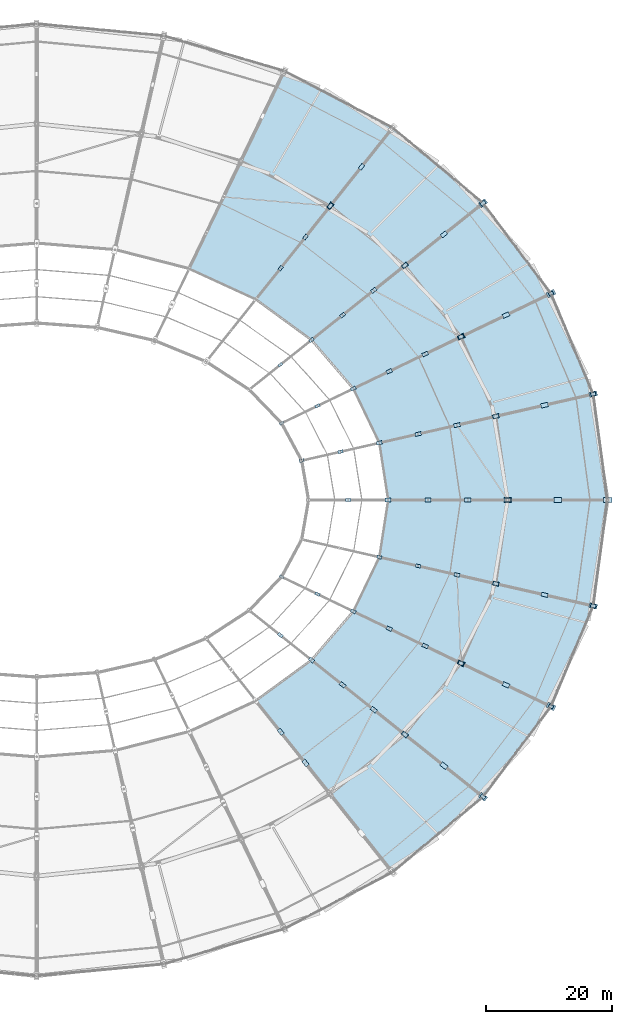
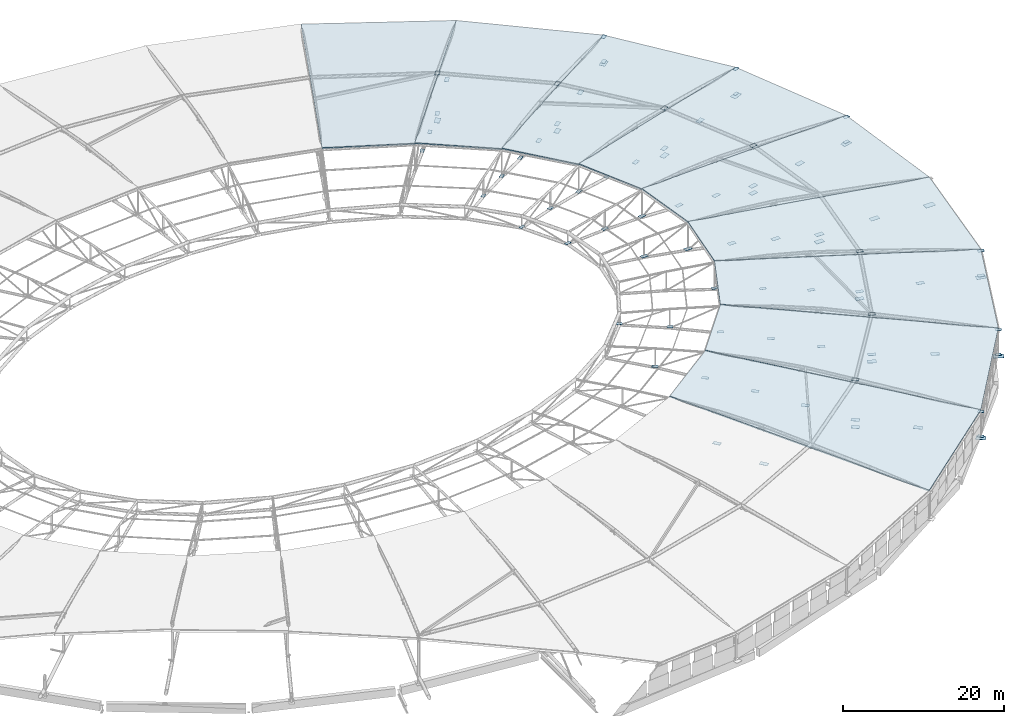
# One storey, part 94 of 108: 90 plates, 9 slabs.
"""IFC4 building model written with IfcOpenShell, lengths in metres."""

from ifc_helpers import new_model, si_unit, direction, frame, origin, origin_2d, place, context, subcontext, project, spatial, polyline, rectangle, outline, extrude, material, layer, layer_set, type_object, element, save


model = new_model("IFC4")

# Units and contexts
model_context = context("Model", 3, precision=1e-05, world=origin(), true_north=direction((0.0, 1.0)))
body_context = subcontext(model_context, "Body", "Model", "MODEL_VIEW")
ifc_project = project(units=[si_unit("LENGTHUNIT", "METRE"), si_unit("AREAUNIT", "SQUARE_METRE"), si_unit("VOLUMEUNIT", "CUBIC_METRE"), si_unit("PLANEANGLEUNIT", "RADIAN"), si_unit("MASSUNIT", "GRAM", prefix="KILO")], contexts=[model_context])

# Site, building, storey
site_placement = place(None, origin())
site = spatial("IfcSite", under=ifc_project, at=site_placement, CompositionType="ELEMENT")
building_placement = place(site_placement, origin())
building = spatial("IfcBuilding", under=site, at=building_placement, Name="Zevraka Park Crest Stadium", CompositionType="ELEMENT")
storey_placement = place(building_placement, frame((0.0, 0.0, 29.39990234375)))
storey = spatial("IfcBuildingStorey", under=building, at=storey_placement, Name="RF", CompositionType="ELEMENT", Elevation=29.39990234375)

# Plates
ifc_material_1 = material(Name="Steel S355", Category="steel")
ifc_layer_1 = layer(ifc_material_1, 0.035888671875)
ifc_layer_set_1 = layer_set([ifc_layer_1], Name="Steel S355")
plate_type_1 = type_object("IfcPlateType", Name="BP01", PredefinedType="SHEET", material=ifc_layer_set_1)
for number, where, z_axis, x_axis, name in (
    (1, (202.300048828125, 92.0, -0.03369140625), (0.0, 0.0, 1.0), (1.0, 0.0, 0.0), "TN1 Roof Truss Heel Base Plate BP01 T01"),
    (2, (193.35693359375, 124.6708984375, -0.03369140625), (0.0, 0.0, 1.0), (0.90100131981, 0.43381634559, 0.0), "TN1 Roof Truss Heel Base Plate BP01 T03"),
    (3, (193.35693359375, 59.3291015625, -0.03369140625), (0.0, 0.0, 1.0), (-0.90100131981, 0.43381634559, 0.0), "TN1 Roof Truss Heel Base Plate BP01 T27"),
):
    element("IfcPlate", number, at=place(storey_placement, frame(where, z_axis=z_axis, x_axis=x_axis)), inside=storey, type_object=plate_type_1, Name=name, PredefinedType="SHEET", context=body_context, shape_type="SweptSolid", body=[
        extrude(rectangle(XDim=1.35009765625, YDim=0.85009765625, at=origin_2d()), origin(), (0.0, 0.0, 1.0), 0.035888671875),
    ])
ifc_material_2 = material(Name="Steel S355", Category="steel")
ifc_layer_2 = layer(ifc_material_2, 0.034912109375)
ifc_layer_set_2 = layer_set([ifc_layer_2], Name="Steel S355")
plate_type_2 = type_object("IfcPlateType", Name="BP02", PredefinedType="SHEET", material=ifc_layer_set_2)
for number, where, z_axis, x_axis, name in (
    (4, (200.035888671875, 108.756103515625, -0.03271484375), (0.0, 0.0, 1.0), (0.974916814618, 0.222569549971, 0.0), "TN1 Roof Truss Heel Base Plate BP02 T02"),
    (5, (182.59912109375, 138.948974609375, -0.03271484375), (0.0, 0.0, 1.0), (0.781847027868, 0.623470308046, 0.0), "TN1 Roof Truss Heel Base Plate BP02 T04"),
    (6, (182.59912109375, 45.051025390625, -0.03271484375), (0.0, 0.0, 1.0), (-0.781847027868, 0.623470308046, 0.0), "TN1 Roof Truss Heel Base Plate BP02 T26"),
    (7, (200.035888671875, 75.243896484375, -0.03271484375), (0.0, 0.0, 1.0), (-0.974916814618, 0.222569549971, 0.0), "TN1 Roof Truss Heel Base Plate BP02 T28"),
):
    element("IfcPlate", number, at=place(storey_placement, frame(where, z_axis=z_axis, x_axis=x_axis)), inside=storey, type_object=plate_type_2, Name=name, PredefinedType="SHEET", context=body_context, shape_type="SweptSolid", body=[
        extrude(rectangle(XDim=1.25, YDim=0.800048828125, at=origin_2d()), origin(), (0.0, 0.0, 1.0), 0.034912109375),
    ])
ifc_material_3 = material(Name="Steel S355", Category="steel")
ifc_layer_3 = layer(ifc_material_3, 0.031982421875)
ifc_layer_set_3 = layer_set([ifc_layer_3], Name="Steel S355")
plate_type_3 = type_object("IfcPlateType", Name="BP03", PredefinedType="SHEET", material=ifc_layer_set_3)
for number, where, z_axis, x_axis, name in (
    (8, (186.5, 92.0, -0.02978515625), (0.0, 0.0, 1.0), (1.0, 0.0, 0.0), "TN2 Roof Truss Heel Base Plate BP03 T01"),
    (9, (179.1220703125, 117.81591796875, -0.02978515625), (0.0, 0.0, 1.0), (0.90100131981, 0.43381634559, 0.0), "TN2 Roof Truss Heel Base Plate BP03 T03"),
    (10, (158.449951171875, 138.51904296875, -0.02978515625), (0.0, 0.0, 1.0), (0.623470308046, 0.781847027868, 0.0), "TN2 Roof Truss Heel Base Plate BP03 T05"),
    (11, (179.1220703125, 66.18408203125, -0.02978515625), (0.0, 0.0, 1.0), (-0.90100131981, 0.43381634559, 0.0), "TN2 Roof Truss Heel Base Plate BP03 T27"),
):
    element("IfcPlate", number, at=place(storey_placement, frame(where, z_axis=z_axis, x_axis=x_axis)), inside=storey, type_object=plate_type_3, Name=name, PredefinedType="SHEET", context=body_context, shape_type="SweptSolid", body=[
        extrude(rectangle(XDim=1.14990234375, YDim=0.719970703125, at=origin_2d()), origin(), (0.0, 0.0, 1.0), 0.031982421875),
    ])
ifc_material_4 = material(Name="Steel S355", Category="steel")
ifc_layer_4 = layer(ifc_material_4, 0.030029296875)
ifc_layer_set_4 = layer_set([ifc_layer_4], Name="Steel S355")
plate_type_4 = type_object("IfcPlateType", Name="BP04", PredefinedType="SHEET", material=ifc_layer_set_4)
for number, where, z_axis, x_axis, name in (
    (12, (184.632080078125, 105.239990234375, -0.02783203125), (0.0, 0.0, 1.0), (0.974916814618, 0.222569549971, 0.0), "TN2 Roof Truss Heel Base Plate BP04 T02"),
    (13, (170.24609375, 129.097900390625, -0.02783203125), (0.0, 0.0, 1.0), (0.781847027868, 0.623470308046, 0.0), "TN2 Roof Truss Heel Base Plate BP04 T04"),
    (14, (170.24609375, 54.902099609375, -0.02783203125), (0.0, 0.0, 1.0), (-0.781847027868, 0.623470308046, 0.0), "TN2 Roof Truss Heel Base Plate BP04 T26"),
    (15, (184.632080078125, 78.760009765625, -0.02783203125), (0.0, 0.0, 1.0), (-0.974916814618, 0.222569549971, 0.0), "TN2 Roof Truss Heel Base Plate BP04 T28"),
):
    element("IfcPlate", number, at=place(storey_placement, frame(where, z_axis=z_axis, x_axis=x_axis)), inside=storey, type_object=plate_type_4, Name=name, PredefinedType="SHEET", context=body_context, shape_type="SweptSolid", body=[
        extrude(rectangle(XDim=1.050048828125, YDim=0.659912109375, at=origin_2d()), origin(), (0.0, 0.0, 1.0), 0.030029296875),
    ])
ifc_material_5 = material(Name="Steel S355", Category="steel")
ifc_layer_5 = layer(ifc_material_5, 0.02490234375)
ifc_layer_set_5 = layer_set([ifc_layer_5], Name="Steel S355")
plate_type_5 = type_object("IfcPlateType", Name="EC01", PredefinedType="SHEET", material=ifc_layer_set_5)
for number, where, z_axis, x_axis, name in (
    (16, (184.632080078125, 105.239990234375, 7.1982421875), (0.0, 0.0, 1.0), (0.974916814618, 0.222569549971, 0.0), "Hollow Strut Top Closure Cap Plate EC01 T02-2"),
    (17, (179.1220703125, 117.81591796875, 7.1982421875), (0.0, 0.0, 1.0), (0.90100131981, 0.43381634559, 0.0), "Hollow Strut Top Closure Cap Plate EC01 T03-2"),
    (18, (170.24609375, 129.097900390625, 7.1982421875), (0.0, 0.0, 1.0), (0.781847027868, 0.623470308046, 0.0), "Hollow Strut Top Closure Cap Plate EC01 T04-2"),
    (19, (182.59912109375, 138.948974609375, 0.237548828125), (0.0, 0.0, 1.0), (0.781847027868, 0.623470308046, 0.0), "TN5 Hollow Chord End Cap Plate EC01 T04-HEEL-B"),
    (20, (182.59912109375, 138.948974609375, 3.987548828125), (0.0, 0.0, 1.0), (0.781847027868, 0.623470308046, 0.0), "TN5 Hollow Chord End Cap Plate EC01 T04-HEEL-T"),
    (21, (158.449951171875, 138.51904296875, 7.1982421875), (0.0, 0.0, 1.0), (0.623470308046, 0.781847027868, 0.0), "Hollow Strut Top Closure Cap Plate EC01 T05-2"),
    (22, (170.24609375, 54.902099609375, 7.1982421875), (0.0, 0.0, 1.0), (-0.781847027868, 0.623470308046, 0.0), "Hollow Strut Top Closure Cap Plate EC01 T26-2"),
    (23, (179.1220703125, 66.18408203125, 7.1982421875), (0.0, 0.0, 1.0), (-0.90100131981, 0.43381634559, 0.0), "Hollow Strut Top Closure Cap Plate EC01 T27-2"),
    (24, (184.632080078125, 78.760009765625, 7.1982421875), (0.0, 0.0, 1.0), (-0.974916814618, 0.222569549971, 0.0), "Hollow Strut Top Closure Cap Plate EC01 T28-2"),
    (25, (200.035888671875, 75.243896484375, 0.237548828125), (0.0, 0.0, 1.0), (-0.974916814618, 0.222569549971, 0.0), "TN5 Hollow Chord End Cap Plate EC01 T28-HEEL-B"),
    (26, (200.035888671875, 75.243896484375, 3.987548828125), (0.0, 0.0, 1.0), (-0.974916814618, 0.222569549971, 0.0), "TN5 Hollow Chord End Cap Plate EC01 T28-HEEL-T"),
):
    element("IfcPlate", number, at=place(storey_placement, frame(where, z_axis=z_axis, x_axis=x_axis)), inside=storey, type_object=plate_type_5, Name=name, PredefinedType="SHEET", context=body_context, shape_type="SweptSolid", body=[
        extrude(rectangle(XDim=0.840087890625, YDim=0.5400390625, at=origin_2d()), origin(), (0.0, 0.0, 1.0), 0.02490234375),
    ])
ifc_material_6 = material(Name="Steel S355", Category="steel")
ifc_layer_6 = layer(ifc_material_6, 0.02490234375)
ifc_layer_set_6 = layer_set([ifc_layer_6], Name="Steel S355")
plate_type_6 = type_object("IfcPlateType", Name="EC02", PredefinedType="SHEET", material=ifc_layer_set_6)
for number, where, z_axis, x_axis, name in (
    (27, (200.035888671875, 108.756103515625, 3.998046875), (0.0, 0.0, 1.0), (0.974916814618, 0.222569549971, 0.0), "Hollow Strut Top Closure Cap Plate EC02 T02-0"),
    (28, (200.035888671875, 108.756103515625, 0.237548828125), (0.0, 0.0, 1.0), (0.974916814618, 0.222569549971, 0.0), "TN5 Hollow Chord End Cap Plate EC02 T02-HEEL-B"),
    (29, (200.035888671875, 108.756103515625, 3.987548828125), (0.0, 0.0, 1.0), (0.974916814618, 0.222569549971, 0.0), "TN5 Hollow Chord End Cap Plate EC02 T02-HEEL-T"),
    (30, (193.35693359375, 124.6708984375, 3.998046875), (0.0, 0.0, 1.0), (0.90100131981, 0.43381634559, 0.0), "Hollow Strut Top Closure Cap Plate EC02 T03-0"),
    (31, (182.59912109375, 138.948974609375, 3.998046875), (0.0, 0.0, 1.0), (0.781847027868, 0.623470308046, 0.0), "Hollow Strut Top Closure Cap Plate EC02 T04-0"),
    (32, (182.59912109375, 45.051025390625, 3.998046875), (0.0, 0.0, 1.0), (-0.781847027868, 0.623470308046, 0.0), "Hollow Strut Top Closure Cap Plate EC02 T26-0"),
    (33, (182.59912109375, 45.051025390625, 0.237548828125), (0.0, 0.0, 1.0), (-0.781847027868, 0.623470308046, 0.0), "TN5 Hollow Chord End Cap Plate EC02 T26-HEEL-B"),
    (34, (182.59912109375, 45.051025390625, 3.987548828125), (0.0, 0.0, 1.0), (-0.781847027868, 0.623470308046, 0.0), "TN5 Hollow Chord End Cap Plate EC02 T26-HEEL-T"),
    (35, (193.35693359375, 59.3291015625, 3.998046875), (0.0, 0.0, 1.0), (-0.90100131981, 0.43381634559, 0.0), "Hollow Strut Top Closure Cap Plate EC02 T27-0"),
    (36, (200.035888671875, 75.243896484375, 3.998046875), (0.0, 0.0, 1.0), (-0.974916814618, 0.222569549971, 0.0), "Hollow Strut Top Closure Cap Plate EC02 T28-0"),
):
    element("IfcPlate", number, at=place(storey_placement, frame(where, z_axis=z_axis, x_axis=x_axis)), inside=storey, type_object=plate_type_6, Name=name, PredefinedType="SHEET", context=body_context, shape_type="SweptSolid", body=[
        extrude(rectangle(XDim=0.780029296875, YDim=0.5, at=origin_2d()), origin(), (0.0, 0.0, 1.0), 0.02490234375),
    ])
ifc_material_7 = material(Name="Steel S355", Category="steel")
ifc_layer_7 = layer(ifc_material_7, 0.02197265625)
ifc_layer_set_7 = layer_set([ifc_layer_7], Name="Steel S355")
plate_type_7 = type_object("IfcPlateType", Name="EC03", PredefinedType="SHEET", material=ifc_layer_set_7)
for number, where, z_axis, x_axis, name in (
    (37, (193.35693359375, 124.6708984375, 0.239013671875), (0.0, 0.0, 1.0), (0.90100131981, 0.43381634559, 0.0), "TN5 Hollow Chord End Cap Plate EC03 T03-HEEL-B"),
    (38, (193.35693359375, 124.6708984375, 3.989013671875), (0.0, 0.0, 1.0), (0.90100131981, 0.43381634559, 0.0), "TN5 Hollow Chord End Cap Plate EC03 T03-HEEL-T"),
    (39, (193.35693359375, 59.3291015625, 0.239013671875), (0.0, 0.0, 1.0), (-0.90100131981, 0.43381634559, 0.0), "TN5 Hollow Chord End Cap Plate EC03 T27-HEEL-B"),
    (40, (193.35693359375, 59.3291015625, 3.989013671875), (0.0, 0.0, 1.0), (-0.90100131981, 0.43381634559, 0.0), "TN5 Hollow Chord End Cap Plate EC03 T27-HEEL-T"),
):
    element("IfcPlate", number, at=place(storey_placement, frame(where, z_axis=z_axis, x_axis=x_axis)), inside=storey, type_object=plate_type_7, Name=name, PredefinedType="SHEET", context=body_context, shape_type="SweptSolid", body=[
        extrude(rectangle(XDim=0.719970703125, YDim=0.4599609375, at=origin_2d()), origin(), (0.0, 0.0, 1.0), 0.02197265625),
    ])
ifc_material_8 = material(Name="Steel S355", Category="steel")
ifc_layer_8 = layer(ifc_material_8, 0.031982421875)
ifc_layer_set_8 = layer_set([ifc_layer_8], Name="Steel S355")
plate_type_8 = type_object("IfcPlateType", Name="GP01", PredefinedType="USERDEFINED", material=ifc_layer_set_8)
plate_placement = place(storey_placement, frame((194.39990234375, 92.0, 0.7138671875), z_axis=(0.0, 0.0, 1.0), x_axis=(1.0, 0.0, 0.0)))
element("IfcPlate", 41, at=plate_placement, inside=storey, type_object=plate_type_8, Name="TN1 Truss Node Gusset Plate GP01 T01-1", ObjectType="GUSSET PLATE", PredefinedType="USERDEFINED", context=body_context, shape_type="SweptSolid", body=[
    extrude(rectangle(XDim=1.199951171875, YDim=0.719970703125, at=origin_2d()), origin(), (0.0, 0.0, 1.0), 0.031982421875),
])
ifc_material_9 = material(Name="Steel S355", Category="steel")
ifc_layer_9 = layer(ifc_material_9, 0.030029296875)
ifc_layer_set_9 = layer_set([ifc_layer_9], Name="Steel S355")
plate_type_9 = type_object("IfcPlateType", Name="GP02", PredefinedType="USERDEFINED", material=ifc_layer_set_9)
for number, where, z_axis, x_axis, name in (
    (42, (186.5, 92.0, 1.06494140625), (0.0, 0.0, 1.0), (1.0, 0.0, 0.0), "TN2 Truss Node Gusset Plate GP02 T01-2"),
    (43, (192.333984375, 106.998046875, 0.71484375), (0.0, 0.0, 1.0), (0.974916814618, 0.222569549971, 0.0), "TN1 Truss Node Gusset Plate GP02 T02-1"),
    (44, (176.423095703125, 49.97705078125, 0.71484375), (0.0, 0.0, 1.0), (-0.781847027868, 0.623470308046, 0.0), "TN1 Truss Node Gusset Plate GP02 T26-1"),
):
    element("IfcPlate", number, at=place(storey_placement, frame(where, z_axis=z_axis, x_axis=x_axis)), inside=storey, type_object=plate_type_9, Name=name, ObjectType="GUSSET PLATE", PredefinedType="USERDEFINED", context=body_context, shape_type="SweptSolid", body=[
        extrude(rectangle(XDim=1.139892578125, YDim=0.679931640625, at=origin_2d()), origin(), (0.0, 0.0, 1.0), 0.030029296875),
    ])
ifc_material_10 = material(Name="Steel S355", Category="steel")
ifc_layer_10 = layer(ifc_material_10, 0.028076171875)
ifc_layer_set_10 = layer_set([ifc_layer_10], Name="Steel S355")
plate_type_10 = type_object("IfcPlateType", Name="GP03", PredefinedType="USERDEFINED", material=ifc_layer_set_10)
for number, where, z_axis, x_axis, name in (
    (45, (180.199951171875, 92.0, 2.6162109375), (0.0, 0.0, 1.0), (1.0, 0.0, 0.0), "TN3 Truss Node Gusset Plate GP03 T01-3"),
    (46, (184.632080078125, 105.239990234375, 1.06591796875), (0.0, 0.0, 1.0), (0.974916814618, 0.222569549971, 0.0), "TN2 Truss Node Gusset Plate GP03 T02-2"),
    (47, (186.239990234375, 121.243896484375, 0.7158203125), (0.0, 0.0, 1.0), (0.90100131981, 0.43381634559, 0.0), "TN1 Truss Node Gusset Plate GP03 T03-1"),
    (48, (154.52197265625, 50.406982421875, 2.6162109375), (0.0, 0.0, 1.0), (-0.623470308046, 0.781847027868, 0.0), "TN3 Truss Node Gusset Plate GP03 T25-3"),
    (49, (170.24609375, 54.902099609375, 1.06591796875), (0.0, 0.0, 1.0), (-0.781847027868, 0.623470308046, 0.0), "TN2 Truss Node Gusset Plate GP03 T26-2"),
    (50, (186.239990234375, 62.756103515625, 0.7158203125), (0.0, 0.0, 1.0), (-0.90100131981, 0.43381634559, 0.0), "TN1 Truss Node Gusset Plate GP03 T27-1"),
):
    element("IfcPlate", number, at=place(storey_placement, frame(where, z_axis=z_axis, x_axis=x_axis)), inside=storey, type_object=plate_type_10, Name=name, ObjectType="GUSSET PLATE", PredefinedType="USERDEFINED", context=body_context, shape_type="SweptSolid", body=[
        extrude(rectangle(XDim=1.080078125, YDim=0.639892578125, at=origin_2d()), origin(), (0.0, 0.0, 1.0), 0.028076171875),
    ])
ifc_material_11 = material(Name="Steel S355", Category="steel")
ifc_layer_11 = layer(ifc_material_11, 0.028076171875)
ifc_layer_set_11 = layer_set([ifc_layer_11], Name="Steel S355")
plate_type_11 = type_object("IfcPlateType", Name="GP04", PredefinedType="USERDEFINED", material=ifc_layer_set_11)
for number, where, z_axis, x_axis, name in (
    (51, (173.89990234375, 92.0, 4.1162109375), (0.0, 0.0, 1.0), (1.0, 0.0, 0.0), "TN4 Truss Node Gusset Plate GP04 T01-4"),
    (52, (178.489990234375, 103.837890625, 2.6162109375), (0.0, 0.0, 1.0), (0.974916814618, 0.222569549971, 0.0), "TN3 Truss Node Gusset Plate GP04 T02-3"),
    (53, (179.1220703125, 117.81591796875, 1.06591796875), (0.0, 0.0, 1.0), (0.90100131981, 0.43381634559, 0.0), "TN2 Truss Node Gusset Plate GP04 T03-2"),
    (54, (176.423095703125, 134.02294921875, 0.7158203125), (0.0, 0.0, 1.0), (0.781847027868, 0.623470308046, 0.0), "TN1 Truss Node Gusset Plate GP04 T04-1"),
    (55, (150.593994140625, 55.33203125, 4.1162109375), (0.0, 0.0, 1.0), (-0.623470308046, 0.781847027868, 0.0), "TN4 Truss Node Gusset Plate GP04 T25-4"),
    (56, (165.321044921875, 58.830078125, 2.6162109375), (0.0, 0.0, 1.0), (-0.781847027868, 0.623470308046, 0.0), "TN3 Truss Node Gusset Plate GP04 T26-3"),
    (57, (179.1220703125, 66.18408203125, 1.06591796875), (0.0, 0.0, 1.0), (-0.90100131981, 0.43381634559, 0.0), "TN2 Truss Node Gusset Plate GP04 T27-2"),
    (58, (192.333984375, 77.001953125, 0.7158203125), (0.0, 0.0, 1.0), (-0.974916814618, 0.222569549971, 0.0), "TN1 Truss Node Gusset Plate GP04 T28-1"),
):
    element("IfcPlate", number, at=place(storey_placement, frame(where, z_axis=z_axis, x_axis=x_axis)), inside=storey, type_object=plate_type_11, Name=name, ObjectType="GUSSET PLATE", PredefinedType="USERDEFINED", context=body_context, shape_type="SweptSolid", body=[
        extrude(rectangle(XDim=1.02001953125, YDim=0.60009765625, at=origin_2d()), origin(), (0.0, 0.0, 1.0), 0.028076171875),
    ])
ifc_material_12 = material(Name="Steel S355", Category="steel")
ifc_layer_12 = layer(ifc_material_12, 0.02490234375)
ifc_layer_set_12 = layer_set([ifc_layer_12], Name="Steel S355")
plate_type_12 = type_object("IfcPlateType", Name="GP05", PredefinedType="USERDEFINED", material=ifc_layer_set_12)
for number, where, z_axis, x_axis, name in (
    (59, (167.60009765625, 92.0, 5.467529296875), (0.0, 0.0, 1.0), (1.0, 0.0, 0.0), "TN5 Truss Node Gusset Plate GP05 T01-5"),
    (60, (172.347900390625, 102.43603515625, 4.11767578125), (0.0, 0.0, 1.0), (0.974916814618, 0.222569549971, 0.0), "TN4 Truss Node Gusset Plate GP05 T02-4"),
    (61, (173.446044921875, 115.0830078125, 2.61767578125), (0.0, 0.0, 1.0), (0.90100131981, 0.43381634559, 0.0), "TN3 Truss Node Gusset Plate GP05 T03-3"),
    (62, (170.24609375, 129.097900390625, 1.067626953125), (0.0, 0.0, 1.0), (0.781847027868, 0.623470308046, 0.0), "TN2 Truss Node Gusset Plate GP05 T04-2"),
    (63, (163.3759765625, 144.695068359375, 0.717529296875), (0.0, 0.0, 1.0), (0.623470308046, 0.781847027868, 0.0), "TN1 Truss Node Gusset Plate GP05 T05-1"),
    (64, (160.39501953125, 62.758056640625, 4.11767578125), (0.0, 0.0, 1.0), (-0.781847027868, 0.623470308046, 0.0), "TN4 Truss Node Gusset Plate GP05 T26-4"),
    (65, (173.446044921875, 68.9169921875, 2.61767578125), (0.0, 0.0, 1.0), (-0.90100131981, 0.43381634559, 0.0), "TN3 Truss Node Gusset Plate GP05 T27-3"),
    (66, (184.632080078125, 78.760009765625, 1.067626953125), (0.0, 0.0, 1.0), (-0.974916814618, 0.222569549971, 0.0), "TN2 Truss Node Gusset Plate GP05 T28-2"),
):
    element("IfcPlate", number, at=place(storey_placement, frame(where, z_axis=z_axis, x_axis=x_axis)), inside=storey, type_object=plate_type_12, Name=name, ObjectType="GUSSET PLATE", PredefinedType="USERDEFINED", context=body_context, shape_type="SweptSolid", body=[
        extrude(rectangle(XDim=0.9599609375, YDim=0.56005859375, at=origin_2d()), origin(), (0.0, 0.0, 1.0), 0.02490234375),
    ])
ifc_material_13 = material(Name="Steel S355", Category="steel")
ifc_layer_13 = layer(ifc_material_13, 0.02490234375)
ifc_layer_set_13 = layer_set([ifc_layer_13], Name="Steel S355")
plate_type_13 = type_object("IfcPlateType", Name="GP06", PredefinedType="USERDEFINED", material=ifc_layer_set_13)
for number, where, z_axis, x_axis, name in (
    (67, (161.300048828125, 92.0, 6.567626953125), (0.0, 0.0, 1.0), (1.0, 0.0, 0.0), "TN6 Truss Node Gusset Plate GP06 T01-6"),
    (68, (166.2060546875, 101.033935546875, 5.467529296875), (0.0, 0.0, 1.0), (0.974916814618, 0.222569549971, 0.0), "TN5 Truss Node Gusset Plate GP06 T02-5"),
    (69, (167.77001953125, 112.34912109375, 4.11767578125), (0.0, 0.0, 1.0), (0.90100131981, 0.43381634559, 0.0), "TN4 Truss Node Gusset Plate GP06 T03-4"),
    (70, (165.321044921875, 125.169921875, 2.61767578125), (0.0, 0.0, 1.0), (0.781847027868, 0.623470308046, 0.0), "TN3 Truss Node Gusset Plate GP06 T04-3"),
    (71, (158.449951171875, 138.51904296875, 1.067626953125), (0.0, 0.0, 1.0), (0.623470308046, 0.781847027868, 0.0), "TN2 Truss Node Gusset Plate GP06 T05-2"),
    (72, (155.469970703125, 66.68603515625, 5.467529296875), (0.0, 0.0, 1.0), (-0.781847027868, 0.623470308046, 0.0), "TN5 Truss Node Gusset Plate GP06 T26-5"),
    (73, (167.77001953125, 71.65087890625, 4.11767578125), (0.0, 0.0, 1.0), (-0.90100131981, 0.43381634559, 0.0), "TN4 Truss Node Gusset Plate GP06 T27-4"),
    (74, (178.489990234375, 80.162109375, 2.61767578125), (0.0, 0.0, 1.0), (-0.974916814618, 0.222569549971, 0.0), "TN3 Truss Node Gusset Plate GP06 T28-3"),
):
    element("IfcPlate", number, at=place(storey_placement, frame(where, z_axis=z_axis, x_axis=x_axis)), inside=storey, type_object=plate_type_13, Name=name, ObjectType="GUSSET PLATE", PredefinedType="USERDEFINED", context=body_context, shape_type="SweptSolid", body=[
        extrude(rectangle(XDim=0.89990234375, YDim=0.5400390625, at=origin_2d()), origin(), (0.0, 0.0, 1.0), 0.02490234375),
    ])
ifc_material_14 = material(Name="Steel S355", Category="steel")
ifc_layer_14 = layer(ifc_material_14, 0.02392578125)
ifc_layer_set_14 = layer_set([ifc_layer_14], Name="Steel S355")
plate_type_14 = type_object("IfcPlateType", Name="GP07", PredefinedType="USERDEFINED", material=ifc_layer_set_14)
for number, where, z_axis, x_axis, name in (
    (75, (160.06396484375, 99.632080078125, 6.568115234375), (0.0, 0.0, 1.0), (0.974916814618, 0.222569549971, 0.0), "TN6 Truss Node Gusset Plate GP07 T02-6"),
    (76, (162.093994140625, 109.615966796875, 5.468017578125), (0.0, 0.0, 1.0), (0.90100131981, 0.43381634559, 0.0), "TN5 Truss Node Gusset Plate GP07 T03-5"),
    (77, (160.39501953125, 121.241943359375, 4.1181640625), (0.0, 0.0, 1.0), (0.781847027868, 0.623470308046, 0.0), "TN4 Truss Node Gusset Plate GP07 T04-4"),
    (78, (154.52197265625, 133.593017578125, 2.6181640625), (0.0, 0.0, 1.0), (0.623470308046, 0.781847027868, 0.0), "TN3 Truss Node Gusset Plate GP07 T05-3"),
    (79, (150.5439453125, 70.614013671875, 6.568115234375), (0.0, 0.0, 1.0), (-0.781847027868, 0.623470308046, 0.0), "TN6 Truss Node Gusset Plate GP07 T26-6"),
    (80, (162.093994140625, 74.384033203125, 5.468017578125), (0.0, 0.0, 1.0), (-0.90100131981, 0.43381634559, 0.0), "TN5 Truss Node Gusset Plate GP07 T27-5"),
    (81, (172.347900390625, 81.56396484375, 4.1181640625), (0.0, 0.0, 1.0), (-0.974916814618, 0.222569549971, 0.0), "TN4 Truss Node Gusset Plate GP07 T28-4"),
):
    element("IfcPlate", number, at=place(storey_placement, frame(where, z_axis=z_axis, x_axis=x_axis)), inside=storey, type_object=plate_type_14, Name=name, ObjectType="GUSSET PLATE", PredefinedType="USERDEFINED", context=body_context, shape_type="SweptSolid", body=[
        extrude(rectangle(XDim=0.840087890625, YDim=0.5, at=origin_2d()), origin(), (0.0, 0.0, 1.0), 0.02392578125),
    ])
ifc_material_15 = material(Name="Steel S355", Category="steel")
ifc_layer_15 = layer(ifc_material_15, 0.02197265625)
ifc_layer_set_15 = layer_set([ifc_layer_15], Name="Steel S355")
plate_type_15 = type_object("IfcPlateType", Name="GP08", PredefinedType="USERDEFINED", material=ifc_layer_set_15)
for number, where, z_axis, x_axis, name in (
    (82, (153.922119140625, 98.23095703125, 7.369140625), (0.0, 0.0, 1.0), (0.974916814618, 0.222569549971, 0.0), "TN6 Truss Node Gusset Plate GP08 T02-7"),
    (83, (156.41796875, 106.882080078125, 6.569091796875), (0.0, 0.0, 1.0), (0.90100131981, 0.43381634559, 0.0), "TN6 Truss Node Gusset Plate GP08 T03-6"),
    (84, (155.469970703125, 117.31396484375, 5.468994140625), (0.0, 0.0, 1.0), (0.781847027868, 0.623470308046, 0.0), "TN5 Truss Node Gusset Plate GP08 T04-5"),
    (85, (150.593994140625, 128.66796875, 4.119140625), (0.0, 0.0, 1.0), (0.623470308046, 0.781847027868, 0.0), "TN4 Truss Node Gusset Plate GP08 T05-4"),
    (86, (156.41796875, 77.117919921875, 6.569091796875), (0.0, 0.0, 1.0), (-0.90100131981, 0.43381634559, 0.0), "TN6 Truss Node Gusset Plate GP08 T27-6"),
    (87, (166.2060546875, 82.966064453125, 5.468994140625), (0.0, 0.0, 1.0), (-0.974916814618, 0.222569549971, 0.0), "TN5 Truss Node Gusset Plate GP08 T28-5"),
):
    element("IfcPlate", number, at=place(storey_placement, frame(where, z_axis=z_axis, x_axis=x_axis)), inside=storey, type_object=plate_type_15, Name=name, ObjectType="GUSSET PLATE", PredefinedType="USERDEFINED", context=body_context, shape_type="SweptSolid", body=[
        extrude(rectangle(XDim=0.780029296875, YDim=0.47998046875, at=origin_2d()), origin(), (0.0, 0.0, 1.0), 0.02197265625),
    ])
ifc_material_16 = material(Name="Steel S355", Category="steel")
ifc_layer_16 = layer(ifc_material_16, 0.02197265625)
ifc_layer_set_16 = layer_set([ifc_layer_16], Name="Steel S355")
plate_type_16 = type_object("IfcPlateType", Name="GP09", PredefinedType="USERDEFINED", material=ifc_layer_set_16)
for number, where, z_axis, x_axis, name in (
    (88, (150.741943359375, 104.14892578125, 7.369140625), (0.0, 0.0, 1.0), (0.90100131981, 0.43381634559, 0.0), "TN6 Truss Node Gusset Plate GP09 T03-7"),
    (89, (150.5439453125, 113.385986328125, 6.569091796875), (0.0, 0.0, 1.0), (0.781847027868, 0.623470308046, 0.0), "TN6 Truss Node Gusset Plate GP09 T04-6"),
    (90, (150.741943359375, 79.85107421875, 7.369140625), (0.0, 0.0, 1.0), (-0.90100131981, 0.43381634559, 0.0), "TN6 Truss Node Gusset Plate GP09 T27-7"),
):
    element("IfcPlate", number, at=place(storey_placement, frame(where, z_axis=z_axis, x_axis=x_axis)), inside=storey, type_object=plate_type_16, Name=name, ObjectType="GUSSET PLATE", PredefinedType="USERDEFINED", context=body_context, shape_type="SweptSolid", body=[
        extrude(rectangle(XDim=0.719970703125, YDim=0.43994140625, at=origin_2d()), origin(), (0.0, 0.0, 1.0), 0.02197265625),
    ])

# Slabs
ifc_material_17 = material(Name="Concrete C35/45", Category="concrete")
ifc_layer_17 = layer(ifc_material_17, 0.179931640625)
ifc_layer_set_17 = layer_set([ifc_layer_17], Name="Concrete C35/45")
slab_type = type_object("IfcSlabType", Name="RS01", PredefinedType="ROOF", material=ifc_layer_set_17)
slab_1_placement = place(storey_placement, frame((202.300048828125, 92.0, 4.239990234375), z_axis=(0.153365817125, 0.020725497664, 0.987952114166), x_axis=(-0.133907855056, 0.990993787241, -1.975614e-06)))
element("IfcSlab", 91, at=slab_1_placement, inside=storey, type_object=slab_type, Name="Canopy Arched Roof Deck Slab RS01 OUTER-01", PredefinedType="ROOF", context=body_context, shape_type="SweptSolid", body=[
    extrude(outline(polyline([(0.0, 0.0), (16.908383312379314, -4.440892098500626e-16), (13.785832641928979, 34.980651919013795), (4.6465853898944385, 34.80678948761847), (0.0, 0.0)])), origin(), (0.0, 0.0, -1.0), 0.179931640625),
])
slab_2_placement = place(storey_placement, frame((200.035888671875, 108.756103515625, 4.239990234375), z_axis=(0.142925899386, 0.059986393758, 0.987913872688), x_axis=(-0.386974092071, 0.922090587766, -4.321156e-06)))
element("IfcSlab", 92, at=slab_2_placement, inside=storey, type_object=slab_type, Name="Canopy Arched Roof Deck Slab RS01 OUTER-02", PredefinedType="ROOF", context=body_context, shape_type="SweptSolid", body=[
    extrude(outline(polyline([(0.0, 0.0), (17.25946518103185, 0.0), (15.475378531929191, 35.07706488870286), (5.970707714320886, 34.60065000399578), (0.0, 0.0)])), origin(), (0.0, 0.0, -1.0), 0.179931640625),
])
slab_3_placement = place(storey_placement, frame((193.35693359375, 124.6708984375, 4.239990234375), z_axis=(0.124011191894, 0.093432610331, 0.98787224458), x_axis=(-0.601761519899, 0.798675824826, 2.830524e-06)))
element("IfcSlab", 93, at=slab_3_placement, inside=storey, type_object=slab_type, Name="Canopy Arched Roof Deck Slab RS01 OUTER-03", PredefinedType="ROOF", context=body_context, shape_type="SweptSolid", body=[
    extrude(outline(polyline([(0.0, 0.0), (17.877191864283304, 0.0), (16.923126798971794, 35.112354930802496), (6.7888391547784215, 34.44617938563021), (0.0, 0.0)])), origin(), (0.0, 0.0, -1.0), 0.179931640625),
])
slab_4_placement = place(storey_placement, frame((182.59912109375, 138.948974609375, 4.239990234375), z_axis=(0.099486559587, 0.119302637189, 0.987860974642), x_axis=(-0.768009420077, 0.640438545587, 6.14953e-07)))
element("IfcSlab", 94, at=slab_4_placement, inside=storey, type_object=slab_type, Name="Canopy Arched Roof Deck Slab RS01 OUTER-04", PredefinedType="ROOF", context=body_context, shape_type="SweptSolid", body=[
    extrude(outline(polyline([(0.0, 0.0), (18.61708226015734, 0.0), (17.857797870937674, 35.11839210854259), (6.979552157535769, 34.408124214685195), (0.0, 0.0)])), origin(), (0.0, 0.0, -1.0), 0.179931640625),
])
slab_5_placement = place(storey_placement, frame((168.301025390625, 150.8720703125, 4.239990234375), z_axis=(0.072029366574, 0.137456281967, 0.987885388544), x_axis=(-0.885772532336, 0.464119619202, 5.544357e-06)))
element("IfcSlab", 95, at=slab_5_placement, inside=storey, type_object=slab_type, Name="Canopy Arched Roof Deck Slab RS01 OUTER-05", PredefinedType="ROOF", context=body_context, shape_type="SweptSolid", body=[
    extrude(outline(polyline([(0.0, 0.0), (19.328987196103824, 0.0), (18.154930541505298, 35.105770040432944), (6.5721028718500705, 34.49017194523897), (0.0, 0.0)])), origin(), (0.0, 0.0, -1.0), 0.179931640625),
])
slab_6_placement = place(storey_placement, frame((168.301025390625, 33.1279296875, 4.239990234375), z_axis=(0.099486559587, -0.119302637189, 0.987860974642), x_axis=(0.768009420077, 0.640438545587, -6.14953e-07)))
element("IfcSlab", 96, at=slab_6_placement, inside=storey, type_object=slab_type, Name="Canopy Arched Roof Deck Slab RS01 OUTER-25", PredefinedType="ROOF", context=body_context, shape_type="SweptSolid", body=[
    extrude(outline(polyline([(0.0, 0.0), (18.61708226015734, 0.0), (11.637530102621575, 34.408124214685195), (0.7592843892196728, 35.11839210854258), (0.0, 0.0)])), origin(), (0.0, 0.0, -1.0), 0.179931640625),
])
slab_7_placement = place(storey_placement, frame((182.59912109375, 45.051025390625, 4.239990234375), z_axis=(0.124011191894, -0.093432610331, 0.98787224458), x_axis=(0.601761519899, 0.798675824826, -2.830524e-06)))
element("IfcSlab", 97, at=slab_7_placement, inside=storey, type_object=slab_type, Name="Canopy Arched Roof Deck Slab RS01 OUTER-26", PredefinedType="ROOF", context=body_context, shape_type="SweptSolid", body=[
    extrude(outline(polyline([(0.0, 0.0), (17.877191864283304, 0.0), (11.08835270950488, 34.44617938563021), (0.954065065311511, 35.112354930802496), (0.0, 0.0)])), origin(), (0.0, 0.0, -1.0), 0.179931640625),
])
slab_8_placement = place(storey_placement, frame((193.35693359375, 59.3291015625, 4.239990234375), z_axis=(0.142925899386, -0.059986393758, 0.987913872688), x_axis=(0.386974092071, 0.922090587766, 4.321156e-06)))
element("IfcSlab", 98, at=slab_8_placement, inside=storey, type_object=slab_type, Name="Canopy Arched Roof Deck Slab RS01 OUTER-27", PredefinedType="ROOF", context=body_context, shape_type="SweptSolid", body=[
    extrude(outline(polyline([(0.0, 0.0), (17.25946518103185, 0.0), (11.288757466710964, 34.60065000399578), (1.78408664910266, 35.07706488870286), (0.0, 0.0)])), origin(), (0.0, 0.0, -1.0), 0.179931640625),
])
slab_9_placement = place(storey_placement, frame((200.035888671875, 75.243896484375, 4.239990234375), z_axis=(0.153365817125, -0.020725497664, 0.987952114166), x_axis=(0.133907855056, 0.990993787241, 1.975614e-06)))
element("IfcSlab", 99, at=slab_9_placement, inside=storey, type_object=slab_type, Name="Canopy Arched Roof Deck Slab RS01 OUTER-28", PredefinedType="ROOF", context=body_context, shape_type="SweptSolid", body=[
    extrude(outline(polyline([(0.0, 0.0), (16.908383312379314, 4.440892098500626e-16), (12.261797922484877, 34.80678948761847), (3.1225506704503374, 34.980651919013795), (0.0, 0.0)])), origin(), (0.0, 0.0, -1.0), 0.179931640625),
])

save(model, "model.ifc")
